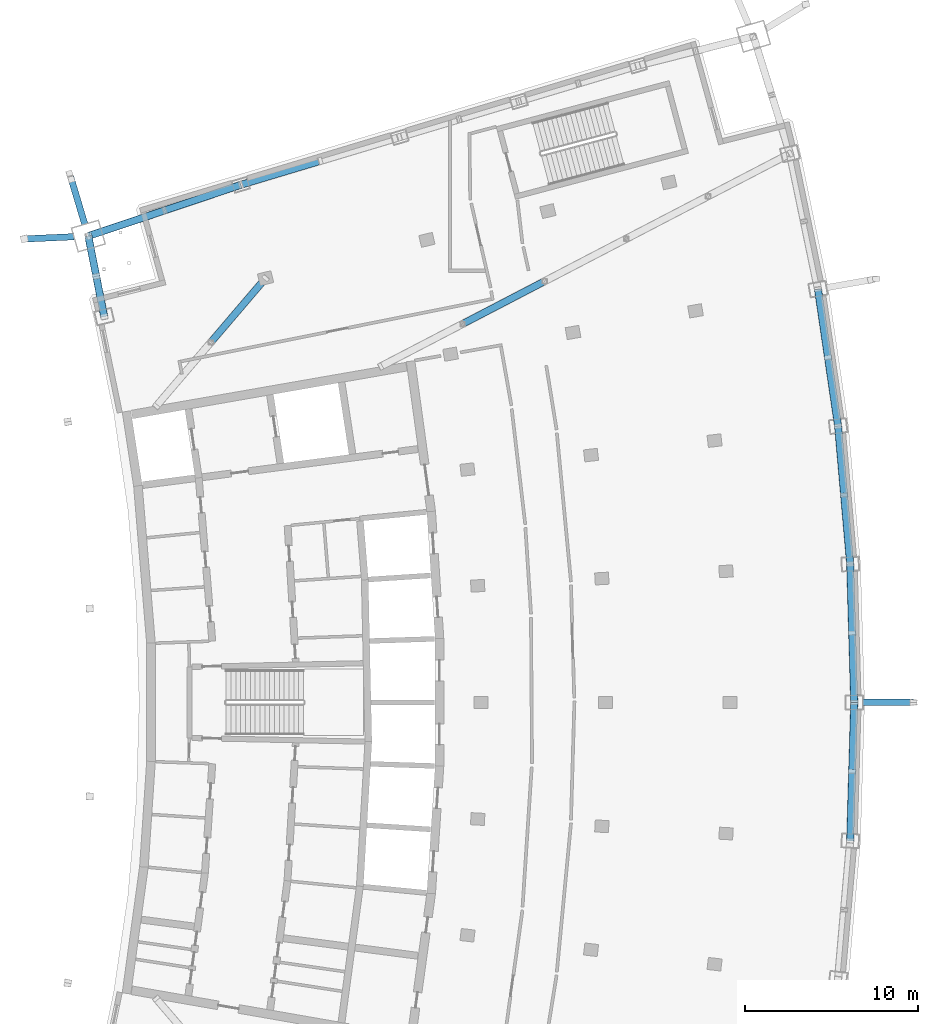
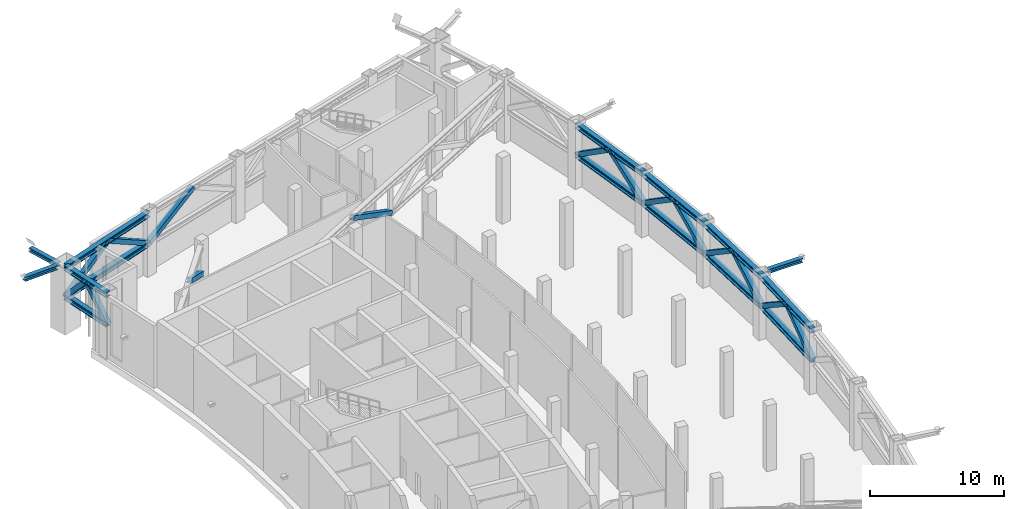
# One storey, part 11 of 23: 30 members.
"""IFC4 building model written with IfcOpenShell, lengths in metres."""

from ifc_helpers import new_model, si_unit, direction, frame, origin, origin_2d, place, context, subcontext, project, spatial, hollow_rectangle, i_section, extrude, material, material_profile, profile_set, type_object, element, save


model = new_model("IFC4")

# Units and contexts
model_context = context("Model", 3, precision=1e-05, world=origin(), true_north=direction((0.0, 1.0)))
body_context = subcontext(model_context, "Body", "Model", "MODEL_VIEW")
ifc_project = project(units=[si_unit("LENGTHUNIT", "METRE"), si_unit("AREAUNIT", "SQUARE_METRE"), si_unit("VOLUMEUNIT", "CUBIC_METRE"), si_unit("PLANEANGLEUNIT", "RADIAN"), si_unit("MASSUNIT", "GRAM", prefix="KILO")], contexts=[model_context])

# Site, building, storey
site_placement = place(None, origin())
site = spatial("IfcSite", under=ifc_project, at=site_placement, CompositionType="ELEMENT")
building_placement = place(site_placement, origin())
building = spatial("IfcBuilding", under=site, at=building_placement, Name="Alderwake Tower", CompositionType="ELEMENT")
storey_placement = place(building_placement, frame((0.0, 0.0, 239.60009765625)))
storey = spatial("IfcBuildingStorey", under=building, at=storey_placement, Name="L59", CompositionType="ELEMENT", Elevation=239.60009765625)

# Members
ifc_material_1 = material(Name="Steel ASTM A992 Grade 50", Category="steel")
ifc_material_profile_1 = material_profile(ifc_material_1, i_section(OverallWidth=0.42138671875, OverallDepth=0.464599609375, WebThickness=0.044921875, FlangeThickness=0.072265625, at=origin_2d()), Name="W14X398")
ifc_profile_set_1 = profile_set([ifc_material_profile_1], Name="Steel ASTM A992 Grade 50")
member_type_1 = type_object("IfcMemberType", Name="Belt truss chord W14X398", PredefinedType="CHORD", material=ifc_profile_set_1)
for number, where, z_axis, x_axis, name in (
    (1, (13.982177734375, 83.3359375, 5.447509765625), (-0.193457327913, 0.981108690348, 0.0), (-0.981108690348, -0.193457327913, 0.0), "Belt truss chord BT59R11.T"),
    (2, (13.982177734375, 83.3359375, 2.7822265625), (-0.193457327913, 0.981108690348, 0.0), (-0.981108690348, -0.193457327913, 0.0), "Belt truss chord BT59R11.B"),
):
    element("IfcMember", number, at=place(storey_placement, frame(where, z_axis=z_axis, x_axis=x_axis)), inside=storey, type_object=member_type_1, Name=name, PredefinedType="CHORD", context=body_context, shape_type="SweptSolid", body=[
        extrude(i_section(OverallWidth=0.42138671875, OverallDepth=0.464599609375, WebThickness=0.044921875, FlangeThickness=0.072265625, at=origin_2d()), origin(), (0.0, 0.0, 1.0), 4.75146484375),
    ])
for number, where, z_axis, x_axis, name in (
    (3, (57.166259765625, 52.989501953125, 5.447509765625), (0.0291546491, 0.999574912868, 0.0), (-0.999574912868, 0.0291546491, 0.0), "Belt truss chord BT59F06.T"),
    (4, (57.166259765625, 52.989501953125, 2.7822265625), (0.0291546491, 0.999574912868, 0.0), (-0.999574912868, 0.0291546491, 0.0), "Belt truss chord BT59F06.B"),
    (5, (57.39990234375, 61.0, 5.447509765625), (-0.0291546491, 0.999574912868, 0.0), (-0.999574912868, -0.0291546491, 0.0), "Belt truss chord BT59F07.T"),
    (6, (57.39990234375, 61.0, 2.7822265625), (-0.0291546491, 0.999574912868, 0.0), (-0.999574912868, -0.0291546491, 0.0), "Belt truss chord BT59F07.B"),
    (7, (57.166259765625, 69.010498046875, 5.447509765625), (-0.087373670247, 0.996175607886, 0.0), (-0.996175607886, -0.087373670247, 0.0), "Belt truss chord BT59F08.T"),
    (8, (57.166259765625, 69.010498046875, 2.7822265625), (-0.087373670247, 0.996175607886, 0.0), (-0.996175607886, -0.087373670247, 0.0), "Belt truss chord BT59F08.B"),
    (9, (56.466064453125, 76.99365234375, 5.447509765625), (-0.14531419519, 0.989385559161, 0.0), (-0.989385559161, -0.14531419519, 0.0), "Belt truss chord BT59F09.T"),
    (10, (56.466064453125, 76.99365234375, 2.7822265625), (-0.14531419519, 0.989385559161, 0.0), (-0.989385559161, -0.14531419519, 0.0), "Belt truss chord BT59F09.B"),
):
    element("IfcMember", number, at=place(storey_placement, frame(where, z_axis=z_axis, x_axis=x_axis)), inside=storey, type_object=member_type_1, Name=name, PredefinedType="CHORD", context=body_context, shape_type="SweptSolid", body=[
        extrude(i_section(OverallWidth=0.42138671875, OverallDepth=0.464599609375, WebThickness=0.044921875, FlangeThickness=0.072265625, at=origin_2d()), origin(), (0.0, 0.0, 1.0), 8.013916015625),
    ])
for number, where, z_axis, x_axis, name in (
    (11, (13.06298828125, 87.99755859375, 5.447509765625), (0.947906645709, 0.318548255403, 0.0), (-0.318548255403, 0.947906645709, 0.0), "Belt truss chord BT59E120.T"),
    (12, (13.06298828125, 87.99755859375, 2.7822265625), (0.947906645709, 0.318548255403, 0.0), (-0.318548255403, 0.947906645709, 0.0), "Belt truss chord BT59E120.B"),
):
    element("IfcMember", number, at=place(storey_placement, frame(where, z_axis=z_axis, x_axis=x_axis)), inside=storey, type_object=member_type_1, Name=name, PredefinedType="CHORD", context=body_context, shape_type="SweptSolid", body=[
        extrude(i_section(OverallWidth=0.42138671875, OverallDepth=0.464599609375, WebThickness=0.044921875, FlangeThickness=0.072265625, at=origin_2d()), origin(), (0.0, 0.0, 1.0), 9.307373046875),
    ])
ifc_material_2 = material(Name="Steel ASTM A500 Grade C", Category="steel")
ifc_material_profile_2 = material_profile(ifc_material_2, hollow_rectangle(XDim=0.406494140625, YDim=0.406494140625, WallThickness=0.014892578125, at=origin_2d()), Name="HSS16X16X5/8")
ifc_profile_set_2 = profile_set([ifc_material_profile_2], Name="Steel ASTM A500 Grade C")
member_type_2 = type_object("IfcMemberType", Name="Belt truss diagonal HSS16X16X5/8", PredefinedType="BRACE", material=ifc_profile_set_2)
for number, where, z_axis, x_axis, name in (
    (13, (13.982177734375, 83.3359375, 2.7822265625), (-0.128690560583, 0.652820819283, 0.746500982938), (-0.981118441846, -0.193407867137, 0.0), "Belt truss diagonal BT59R11.D1"),
    (14, (13.06298828125, 87.99755859375, 2.7822265625), (0.128757806923, -0.652815073127, 0.746494412206), (0.981098936551, 0.193506787213, 0.0), "Belt truss diagonal BT59R11.D2"),
):
    element("IfcMember", number, at=place(storey_placement, frame(where, z_axis=z_axis, x_axis=x_axis)), inside=storey, type_object=member_type_2, Name=name, PredefinedType="BRACE", context=body_context, shape_type="SweptSolid", body=[
        extrude(hollow_rectangle(XDim=0.406494140625, YDim=0.406494140625, WallThickness=0.014892578125, at=origin_2d()), origin(), (0.0, 0.0, 1.0), 3.5703125),
    ])
member_1_placement = place(storey_placement, frame((57.166259765625, 52.989501953125, 2.7822265625), z_axis=(0.024300812829, 0.832264790098, 0.553845456476), x_axis=(-0.999573998648, 0.029185976553, 0.0)))
element("IfcMember", 15, at=member_1_placement, inside=storey, type_object=member_type_2, Name="Belt truss diagonal BT59F06.D1", PredefinedType="BRACE", context=body_context, shape_type="SweptSolid", body=[
    extrude(hollow_rectangle(XDim=0.406494140625, YDim=0.406494140625, WallThickness=0.014892578125, at=origin_2d()), origin(), (0.0, 0.0, 1.0), 4.812255859375),
])
member_2_placement = place(storey_placement, frame((57.39990234375, 61.0, 2.7822265625), z_axis=(-0.024249086432, -0.832281405876, 0.553822754355), x_axis=(0.999575826053, -0.02912332347, 0.0)))
element("IfcMember", 16, at=member_2_placement, inside=storey, type_object=member_type_2, Name="Belt truss diagonal BT59F06.D2", PredefinedType="BRACE", context=body_context, shape_type="SweptSolid", body=[
    extrude(hollow_rectangle(XDim=0.406494140625, YDim=0.406494140625, WallThickness=0.014892578125, at=origin_2d()), origin(), (0.0, 0.0, 1.0), 4.8125),
])
member_3_placement = place(storey_placement, frame((57.39990234375, 61.0, 2.7822265625), z_axis=(-0.024250110308, 0.832265815076, 0.553846138567), x_axis=(-0.999575774372, -0.029125097236, 0.0)))
element("IfcMember", 17, at=member_3_placement, inside=storey, type_object=member_type_2, Name="Belt truss diagonal BT59F07.D1", PredefinedType="BRACE", context=body_context, shape_type="SweptSolid", body=[
    extrude(hollow_rectangle(XDim=0.406494140625, YDim=0.406494140625, WallThickness=0.014892578125, at=origin_2d()), origin(), (0.0, 0.0, 1.0), 4.812255859375),
])
for number, where, z_axis, x_axis, name in (
    (18, (57.166259765625, 69.010498046875, 2.7822265625), (0.024299786815, -0.832280380964, 0.553822072351), (0.999574050545, 0.029184199086, 0.0), "Belt truss diagonal BT59F07.D2"),
    (19, (57.166259765625, 69.010498046875, 2.7822265625), (-0.072747864399, 0.829447407892, 0.553827360976), (-0.99617584045, -0.087371018667, 0.0), "Belt truss diagonal BT59F08.D1"),
):
    element("IfcMember", number, at=place(storey_placement, frame(where, z_axis=z_axis, x_axis=x_axis)), inside=storey, type_object=member_type_2, Name=name, PredefinedType="BRACE", context=body_context, shape_type="SweptSolid", body=[
        extrude(hollow_rectangle(XDim=0.406494140625, YDim=0.406494140625, WallThickness=0.014892578125, at=origin_2d()), origin(), (0.0, 0.0, 1.0), 4.8125),
    ])
for number, where, z_axis, x_axis, name in (
    (20, (56.466064453125, 76.99365234375, 2.7822265625), (0.072750925617, -0.829431578044, 0.553850665943), (0.996175375301, 0.087376321988, 0.0), "Belt truss diagonal BT59F08.D2"),
    (21, (56.466064453125, 76.99365234375, 2.7822265625), (-0.120995587587, 0.823784633641, 0.553840180161), (-0.989384915843, -0.145318575212, 0.0), "Belt truss diagonal BT59F09.D1"),
):
    element("IfcMember", number, at=place(storey_placement, frame(where, z_axis=z_axis, x_axis=x_axis)), inside=storey, type_object=member_type_2, Name=name, PredefinedType="BRACE", context=body_context, shape_type="SweptSolid", body=[
        extrude(hollow_rectangle(XDim=0.406494140625, YDim=0.406494140625, WallThickness=0.014892578125, at=origin_2d()), origin(), (0.0, 0.0, 1.0), 4.812255859375),
    ])
member_4_placement = place(storey_placement, frame((55.301513671875, 84.922607421875, 2.7822265625), z_axis=(0.120990531081, -0.823800936781, 0.553817034721), x_axis=(0.98938620242, 0.14530981543, 0.0)))
element("IfcMember", 22, at=member_4_placement, inside=storey, type_object=member_type_2, Name="Belt truss diagonal BT59F09.D2", PredefinedType="BRACE", context=body_context, shape_type="SweptSolid", body=[
    extrude(hollow_rectangle(XDim=0.406494140625, YDim=0.406494140625, WallThickness=0.014892578125, at=origin_2d()), origin(), (0.0, 0.0, 1.0), 4.8125),
])
member_5_placement = place(storey_placement, frame((13.06298828125, 87.99755859375, 2.7822265625), z_axis=(0.822560750296, 0.276417559123, 0.496978012673), x_axis=(-0.318540335058, 0.94790930734, 0.0)))
element("IfcMember", 23, at=member_5_placement, inside=storey, type_object=member_type_2, Name="Belt truss diagonal BT59E120.D1", PredefinedType="BRACE", context=body_context, shape_type="SweptSolid", body=[
    extrude(hollow_rectangle(XDim=0.406494140625, YDim=0.406494140625, WallThickness=0.014892578125, at=origin_2d()), origin(), (0.0, 0.0, 1.0), 5.363037109375),
])
member_6_placement = place(storey_placement, frame((21.885498046875, 90.96240234375, 2.7822265625), z_axis=(-0.822546027512, -0.276427910065, 0.496996622888), x_axis=(0.318556176119, -0.94790398388, 0.0)))
element("IfcMember", 24, at=member_6_placement, inside=storey, type_object=member_type_2, Name="Belt truss diagonal BT59E120.D2", PredefinedType="BRACE", context=body_context, shape_type="SweptSolid", body=[
    extrude(hollow_rectangle(XDim=0.406494140625, YDim=0.406494140625, WallThickness=0.014892578125, at=origin_2d()), origin(), (0.0, 0.0, 1.0), 5.36279296875),
])
member_7_placement = place(storey_placement, frame((21.885498046875, 90.96240234375, 2.7822265625), z_axis=(0.837342663624, 0.25141179014, 0.485437303318), x_axis=(-0.287567186241, 0.957760467652, 0.0)))
element("IfcMember", 25, at=member_7_placement, inside=storey, type_object=member_type_2, Name="Belt truss diagonal BT59E121.D1", PredefinedType="BRACE", context=body_context, shape_type="SweptSolid", body=[
    extrude(hollow_rectangle(XDim=0.406494140625, YDim=0.406494140625, WallThickness=0.014892578125, at=origin_2d()), origin(), (0.0, 0.0, 1.0), 5.490478515625),
])
ifc_material_3 = material(Name="Steel ASTM A992 Grade 50", Category="steel")
ifc_material_profile_3 = material_profile(ifc_material_3, i_section(OverallWidth=0.3740234375, OverallDepth=0.372314453125, WebThickness=0.016357421875, FlangeThickness=0.026123046875, at=origin_2d()), Name="W14X132")
ifc_profile_set_3 = profile_set([ifc_material_profile_3], Name="Steel ASTM A992 Grade 50")
member_type_3 = type_object("IfcMemberType", Name="Brace node stub W14X132", PredefinedType="MEMBER", material=ifc_profile_set_3)
member_8_placement = place(storey_placement, frame((57.875, 61.0, 5.793701171875), z_axis=(1.0, 0.0, 0.0), x_axis=(0.0, 1.0, 0.0)))
element("IfcMember", 26, at=member_8_placement, inside=storey, type_object=member_type_3, Name="Brace node stub BS.FR07-C5.2456", PredefinedType="MEMBER", context=body_context, shape_type="SweptSolid", body=[
    extrude(i_section(OverallWidth=0.3740234375, OverallDepth=0.372314453125, WebThickness=0.016357421875, FlangeThickness=0.026123046875, at=origin_2d()), origin(), (0.0, 0.0, 1.0), 2.95166015625),
])
member_9_placement = place(storey_placement, frame((12.239501953125, 87.9599609375, 5.793701171875), z_axis=(-0.998957685962, -0.045645828479, 0.0), x_axis=(0.045645828479, -0.998957685962, 0.0)))
element("IfcMember", 27, at=member_9_placement, inside=storey, type_object=member_type_3, Name="Brace node stub BS.RR12-C0.2456", PredefinedType="MEMBER", context=body_context, shape_type="SweptSolid", body=[
    extrude(i_section(OverallWidth=0.3740234375, OverallDepth=0.372314453125, WebThickness=0.016357421875, FlangeThickness=0.026123046875, at=origin_2d()), origin(), (0.0, 0.0, 1.0), 2.8828125),
])
member_10_placement = place(storey_placement, frame((12.862548828125, 88.668212890625, 5.34375), z_axis=(-0.286452725549, 0.95809437741, 0.0), x_axis=(-0.95809437741, -0.286452725549, 0.0)))
element("IfcMember", 28, at=member_10_placement, inside=storey, type_object=member_type_3, Name="Brace node stub BS.NR12-C0.2456", PredefinedType="MEMBER", context=body_context, shape_type="SweptSolid", body=[
    extrude(i_section(OverallWidth=0.3740234375, OverallDepth=0.372314453125, WebThickness=0.016357421875, FlangeThickness=0.026123046875, at=origin_2d()), origin(), (0.0, 0.0, 1.0), 2.90283203125),
])
ifc_material_4 = material(Name="Steel ASTM A500 Grade C", Category="steel")
ifc_material_profile_4 = material_profile(ifc_material_4, hollow_rectangle(XDim=0.406494140625, YDim=0.406494140625, WallThickness=0.014892578125, at=origin_2d()), Name="HSS16X16X5/8")
ifc_profile_set_4 = profile_set([ifc_material_profile_4], Name="Steel ASTM A500 Grade C")
member_type_4 = type_object("IfcMemberType", Name="Outrigger truss diagonal HSS16X16X5/8", PredefinedType="BRACE", material=ifc_profile_set_4)
member_11_placement = place(storey_placement, frame((23.322021484375, 85.555908203125, 2.7822265625), z_axis=(-0.569774945819, -0.667002113003, 0.480067383152), x_axis=(0.760348921589, -0.649514832346, 0.0)))
element("IfcMember", 29, at=member_11_placement, inside=storey, type_object=member_type_4, Name="Outrigger truss diagonal OR59NR.D2", PredefinedType="BRACE", context=body_context, shape_type="SweptSolid", body=[
    extrude(hollow_rectangle(XDim=0.406494140625, YDim=0.406494140625, WallThickness=0.014892578125, at=origin_2d()), origin(), (0.0, 0.0, 1.0), 5.552001953125),
])
member_12_placement = place(storey_placement, frame((39.467041015625, 85.376708984375, 2.7822265625), z_axis=(-0.793718676682, -0.412957905388, 0.446627843582), x_axis=(0.461549965469, -0.887114214391, 0.0)))
element("IfcMember", 30, at=member_12_placement, inside=storey, type_object=member_type_4, Name="Outrigger truss diagonal OR59NF.D2", PredefinedType="BRACE", context=body_context, shape_type="SweptSolid", body=[
    extrude(hollow_rectangle(XDim=0.406494140625, YDim=0.406494140625, WallThickness=0.014892578125, at=origin_2d()), origin(), (0.0, 0.0, 1.0), 5.967529296875),
])

save(model, "model.ifc")
